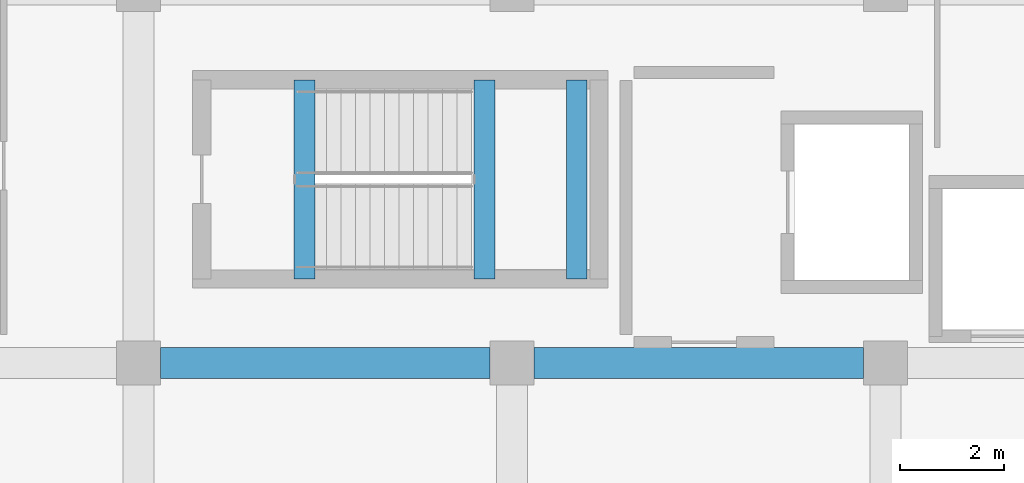
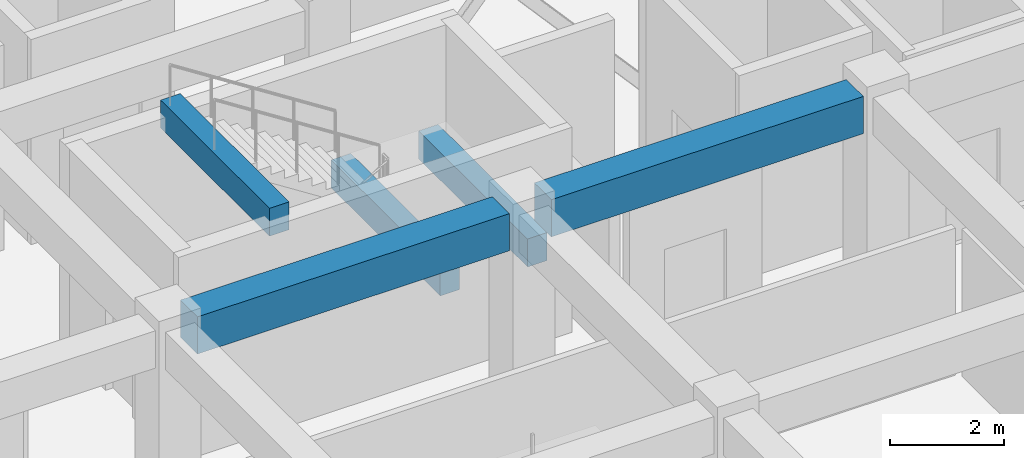
# One storey, part 6 of 55: 5 beams.
"""IFC4 building model written with IfcOpenShell, lengths in metres."""

from ifc_helpers import new_model, si_unit, direction, frame, origin, origin_2d, place, context, subcontext, project, spatial, rectangle, extrude, material, material_profile, profile_set, type_object, element, save


model = new_model("IFC4")

# Units and contexts
model_context = context("Model", 3, precision=1e-05, world=origin(), true_north=direction((0.0, 1.0)))
body_context = subcontext(model_context, "Body", "Model", "MODEL_VIEW")
ifc_project = project(units=[si_unit("LENGTHUNIT", "METRE"), si_unit("AREAUNIT", "SQUARE_METRE"), si_unit("VOLUMEUNIT", "CUBIC_METRE"), si_unit("PLANEANGLEUNIT", "RADIAN"), si_unit("MASSUNIT", "GRAM", prefix="KILO")], contexts=[model_context])

# Site, building, storey
site_placement = place(None, origin())
site = spatial("IfcSite", under=ifc_project, at=site_placement, CompositionType="ELEMENT")
building_placement = place(site_placement, origin())
building = spatial("IfcBuilding", under=site, at=building_placement, Name="Kazehaya Institute of Natural Sciences", CompositionType="ELEMENT")
storey_placement = place(building_placement, frame((0.0, 0.0, 15.1201171875)))
storey = spatial("IfcBuildingStorey", under=building, at=storey_placement, Name="L03", CompositionType="ELEMENT", Elevation=15.1201171875)

# Beams
ifc_material = material(Name="Concrete Fc36", Category="concrete")
ifc_material_profile_1 = material_profile(ifc_material, rectangle(XDim=0.39990234375, YDim=0.60009765625, at=origin_2d()), Name="RC-400x600")
ifc_profile_set_1 = profile_set([ifc_material_profile_1], Name="Concrete Fc36")
beam_type_1 = type_object("IfcBeamType", Name="BM-B-400x600", PredefinedType="BEAM", material=ifc_profile_set_1)
for number, where, z_axis, x_axis, name in (
    (1, (65.0, 22.820068359375, 4.3798828125), (0.0, 1.0, 0.0), (-1.0, 0.0, 0.0), "L04 ST-1 stair header trimmer beam"),
    (2, (68.469970703125, 22.820068359375, 1.8798828125), (0.0, 1.0, 0.0), (-1.0, 0.0, 0.0), "L03 ST-1 landing beam 1"),
    (3, (70.25, 22.820068359375, 1.8798828125), (0.0, 1.0, 0.0), (-1.0, 0.0, 0.0), "L03 ST-1 landing beam 2"),
):
    element("IfcBeam", number, at=place(storey_placement, frame(where, z_axis=z_axis, x_axis=x_axis)), inside=storey, type_object=beam_type_1, Name=name, PredefinedType="BEAM", context=body_context, shape_type="SweptSolid", body=[
        extrude(rectangle(XDim=0.39990234375, YDim=0.60009765625, at=origin_2d()), origin(), (0.0, 0.0, 1.0), 3.83984375),
    ])
ifc_material_profile_2 = material_profile(ifc_material, rectangle(XDim=0.60009765625, YDim=0.800048828125, at=origin_2d()), Name="RC-600x800")
ifc_profile_set_2 = profile_set([ifc_material_profile_2], Name="Concrete Fc36")
beam_type_2 = type_object("IfcBeamType", Name="BM-G-600x800", PredefinedType="BEAM", material=ifc_profile_set_2)
for number, where, z_axis, x_axis, name in (
    (4, (62.22509765625, 21.199951171875, 4.009765625), (1.0, 0.0, 0.0), (0.0, 1.0, 0.0), "L03 primary X girder BMX-L03-618-212"),
    (5, (69.425048828125, 21.199951171875, 4.009765625), (1.0, 0.0, 0.0), (0.0, 1.0, 0.0), "L03 primary X girder BMX-L03-690-212"),
):
    element("IfcBeam", number, at=place(storey_placement, frame(where, z_axis=z_axis, x_axis=x_axis)), inside=storey, type_object=beam_type_2, Name=name, PredefinedType="BEAM", context=body_context, shape_type="SweptSolid", body=[
        extrude(rectangle(XDim=0.60009765625, YDim=0.800048828125, at=origin_2d()), origin(), (0.0, 0.0, 1.0), 6.349853515625),
    ])

save(model, "model.ifc")
